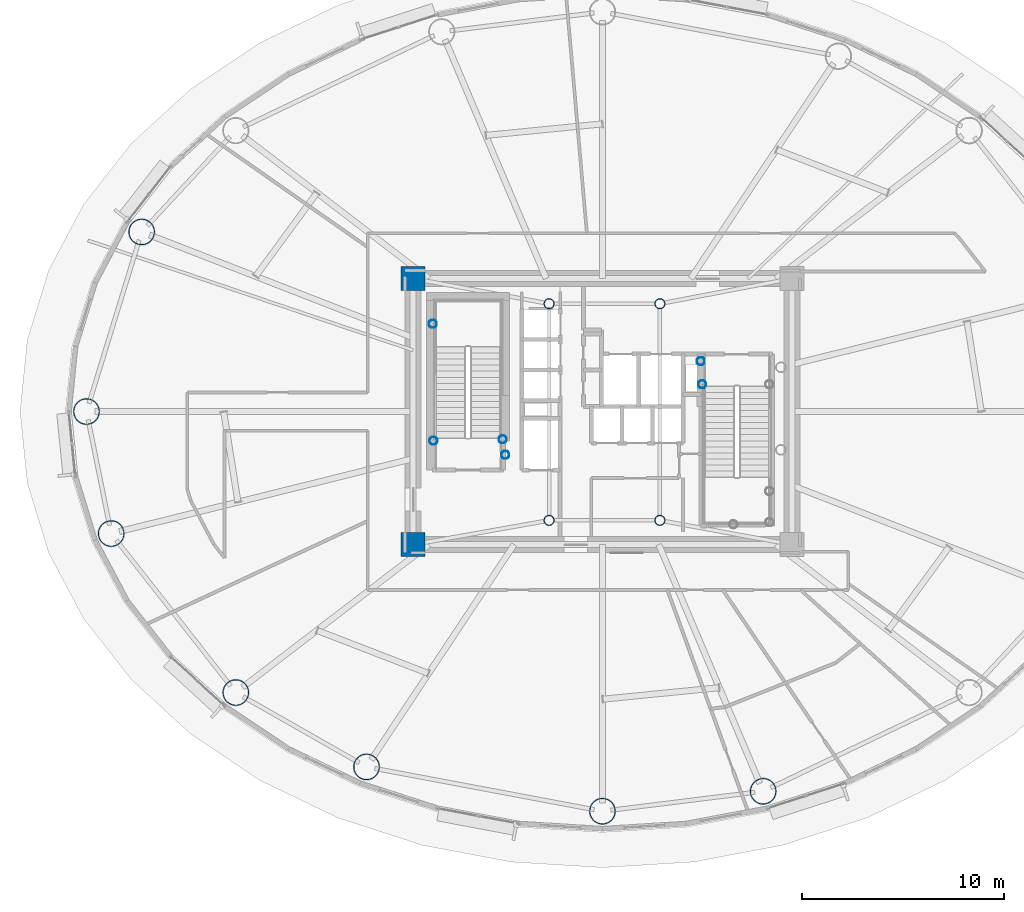
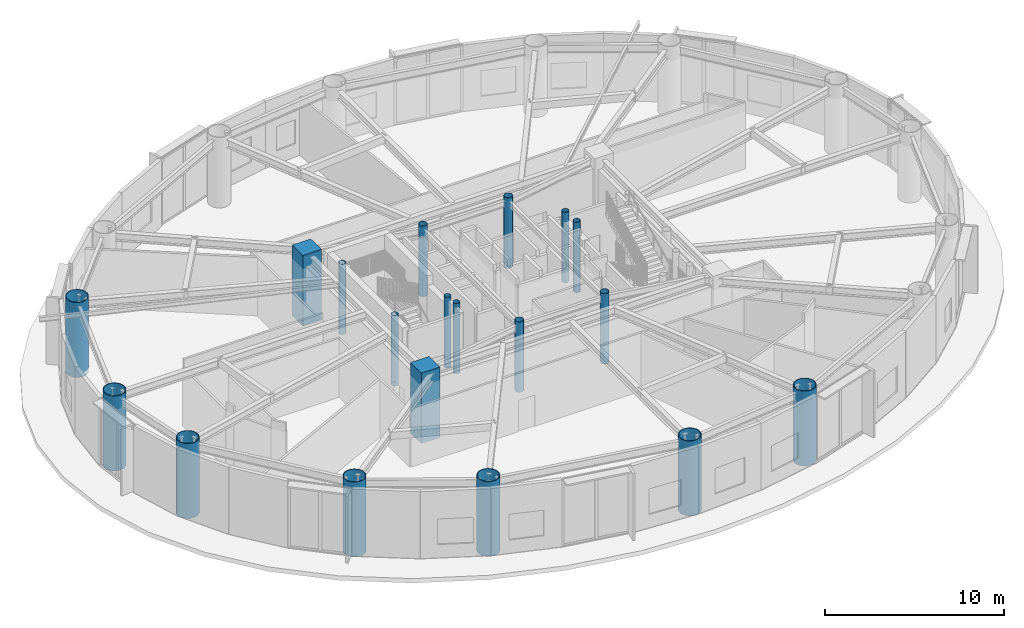
# One storey, part 1 of 38: 19 columns.
"""IFC4 building model written with IfcOpenShell, lengths in metres."""

from ifc_helpers import new_model, si_unit, direction, frame, origin, origin_2d, place, context, subcontext, project, spatial, rectangle, hollow_circle, extrude, material, material_profile, profile_set, type_object, element, save


model = new_model("IFC4")

# Units and contexts
model_context = context("Model", 3, precision=1e-05, world=origin(), true_north=direction((0.0, 1.0)))
body_context = subcontext(model_context, "Body", "Model", "MODEL_VIEW")
ifc_project = project(units=[si_unit("LENGTHUNIT", "METRE"), si_unit("AREAUNIT", "SQUARE_METRE"), si_unit("VOLUMEUNIT", "CUBIC_METRE"), si_unit("PLANEANGLEUNIT", "RADIAN"), si_unit("MASSUNIT", "GRAM", prefix="KILO")], contexts=[model_context])

# Site, building, storey
site_placement = place(None, origin())
site = spatial("IfcSite", under=ifc_project, at=site_placement, CompositionType="ELEMENT")
building_placement = place(site_placement, origin())
building = spatial("IfcBuilding", under=site, at=building_placement, Name="Linh Dai School and Residence Tower", CompositionType="ELEMENT")
storey_placement = place(building_placement, frame((0.0, 0.0, 151.35009765625)))
storey = spatial("IfcBuildingStorey", under=building, at=storey_placement, Name="L36", CompositionType="ELEMENT", Elevation=151.35009765625)

# Columns
ifc_material_1 = material(Name="Concrete B60 (C50/60)", Category="concrete")
ifc_material_profile_1 = material_profile(ifc_material_1, rectangle(XDim=1.199951171875, YDim=1.199951171875, at=origin_2d()), Name="RC 1200x1200")
ifc_profile_set_1 = profile_set([ifc_material_profile_1], Name="Concrete B60 (C50/60)")
column_type_1 = type_object("IfcColumnType", Name="COL-CC2", PredefinedType="COLUMN", material=ifc_profile_set_1)
for number, where, z_axis, x_axis, name in (
    (1, (26.60009765625, 20.39990234375, 0.0), (0.0, 0.0, 1.0), (1.0, 0.0, 0.0), "L36 Core Corner Pier CC1"),
    (2, (26.60009765625, 33.60009765625, 0.0), (0.0, 0.0, 1.0), (1.0, 0.0, 0.0), "L36 Core Corner Pier CC4"),
):
    element("IfcColumn", number, at=place(storey_placement, frame(where, z_axis=z_axis, x_axis=x_axis)), inside=storey, type_object=column_type_1, Name=name, PredefinedType="COLUMN", context=body_context, shape_type="SweptSolid", body=[
        extrude(rectangle(XDim=1.199951171875, YDim=1.199951171875, at=origin_2d()), origin(), (0.0, 0.0, 1.0), 4.7998046875),
    ])
ifc_material_2 = material(Name="Structural Steel S355JR", Category="steel")
ifc_material_profile_2 = material_profile(ifc_material_2, hollow_circle(Radius=0.203125, WallThickness=0.01611328125, at=origin_2d()), Name="CHS 406.4x16")
ifc_profile_set_2 = profile_set([ifc_material_profile_2], Name="Structural Steel S355JR")
column_type_2 = type_object("IfcColumnType", Name="COL-EC", PredefinedType="COLUMN", material=ifc_profile_set_2)
for number, where, z_axis, x_axis, name in (
    (3, (27.580078125, 31.35009765625, 0.0), (0.0, 0.0, 1.0), (1.0, 0.0, 0.0), "L36 Stair Shaft Landing Support Pier ST1NW"),
    (4, (31.050048828125, 25.6201171875, 0.0), (0.0, 0.0, 1.0), (1.0, 0.0, 0.0), "L36 Stair Shaft Landing Support Pier ST1SE"),
    (5, (31.179931640625, 24.85009765625, 0.0), (0.0, 0.0, 1.0), (1.0, 0.0, 0.0), "L36 Stair Shaft Landing Support Pier ST1SM"),
    (6, (27.6201171875, 25.550048828125, 0.0), (0.0, 0.0, 1.0), (1.0, 0.0, 0.0), "L36 Stair Shaft Landing Support Pier ST1SW"),
    (7, (40.949951171875, 28.35009765625, 0.0), (0.0, 0.0, 1.0), (1.0, 0.0, 0.0), "L36 Stair Shaft Landing Support Pier ST2N1"),
    (8, (40.8798828125, 29.5, 0.0), (0.0, 0.0, 1.0), (1.0, 0.0, 0.0), "L36 Stair Shaft Landing Support Pier ST2N3"),
):
    element("IfcColumn", number, at=place(storey_placement, frame(where, z_axis=z_axis, x_axis=x_axis)), inside=storey, type_object=column_type_2, Name=name, PredefinedType="COLUMN", context=body_context, shape_type="SweptSolid", body=[
        extrude(hollow_circle(Radius=0.203125, WallThickness=0.01611328125, at=origin_2d()), origin(), (0.0, 0.0, 1.0), 4.7998046875),
    ])
ifc_material_profile_3 = material_profile(ifc_material_2, hollow_circle(Radius=0.64990234375, WallThickness=0.0400390625, at=origin_2d()), Name="CHS 1300x40")
ifc_profile_set_3 = profile_set([ifc_material_profile_3], Name="Structural Steel S355JR")
column_type_3 = type_object("IfcColumnType", Name="COL-MC4", PredefinedType="COLUMN", material=ifc_profile_set_3)
for number, where, z_axis, x_axis, name in (
    (9, (13.137451171875, 35.9111328125, -0.300048828125), (0.0, 0.0, 1.0), (1.0, 0.0, 0.0), "L36 Perimeter CFT Mega-Column MC08"),
    (10, (10.39990234375, 27.0, -0.300048828125), (0.0, 0.0, 1.0), (1.0, 0.0, 0.0), "L36 Perimeter CFT Mega-Column MC09"),
    (11, (11.62548828125, 20.946533203125, -0.300048828125), (0.0, 0.0, 1.0), (1.0, 0.0, 0.0), "L36 Perimeter CFT Mega-Column MC10"),
    (12, (17.8076171875, 13.058349609375, -0.300048828125), (0.0, 0.0, 1.0), (1.0, 0.0, 0.0), "L36 Perimeter CFT Mega-Column MC11"),
    (13, (24.29443359375, 9.369140625, -0.300048828125), (0.0, 0.0, 1.0), (1.0, 0.0, 0.0), "L36 Perimeter CFT Mega-Column MC12"),
    (14, (36.0, 7.169921875, -0.300048828125), (0.0, 0.0, 1.0), (1.0, 0.0, 0.0), "L36 Perimeter CFT Mega-Column MC13"),
    (15, (43.973388671875, 8.15869140625, -0.300048828125), (0.0, 0.0, 1.0), (1.0, 0.0, 0.0), "L36 Perimeter CFT Mega-Column MC14"),
):
    element("IfcColumn", number, at=place(storey_placement, frame(where, z_axis=z_axis, x_axis=x_axis)), inside=storey, type_object=column_type_3, Name=name, PredefinedType="COLUMN", context=body_context, shape_type="SweptSolid", body=[
        extrude(hollow_circle(Radius=0.64990234375, WallThickness=0.0400390625, at=origin_2d()), origin(), (0.0, 0.0, 1.0), 5.099853515625),
    ])
ifc_material_profile_4 = material_profile(ifc_material_2, hollow_circle(Radius=0.25390625, WallThickness=0.02001953125, at=origin_2d()), Name="CHS 508x20")
ifc_profile_set_4 = profile_set([ifc_material_profile_4], Name="Structural Steel S355JR")
column_type_4 = type_object("IfcColumnType", Name="COL-MCP", PredefinedType="COLUMN", material=ifc_profile_set_4)
for number, where, z_axis, x_axis, name in (
    (16, (33.35009765625, 21.60009765625, 0.0), (0.0, 0.0, 1.0), (1.0, 0.0, 0.0), "L36 Core Mast Support Pier MCP1"),
    (17, (38.85009765625, 21.60009765625, 0.0), (0.0, 0.0, 1.0), (1.0, 0.0, 0.0), "L36 Core Mast Support Pier MCP2"),
    (18, (38.85009765625, 32.35009765625, 0.0), (0.0, 0.0, 1.0), (1.0, 0.0, 0.0), "L36 Core Mast Support Pier MCP3"),
    (19, (33.35009765625, 32.35009765625, 0.0), (0.0, 0.0, 1.0), (1.0, 0.0, 0.0), "L36 Core Mast Support Pier MCP4"),
):
    element("IfcColumn", number, at=place(storey_placement, frame(where, z_axis=z_axis, x_axis=x_axis)), inside=storey, type_object=column_type_4, Name=name, PredefinedType="COLUMN", context=body_context, shape_type="SweptSolid", body=[
        extrude(hollow_circle(Radius=0.25390625, WallThickness=0.02001953125, at=origin_2d()), origin(), (0.0, 0.0, 1.0), 4.7998046875),
    ])

save(model, "model.ifc")
